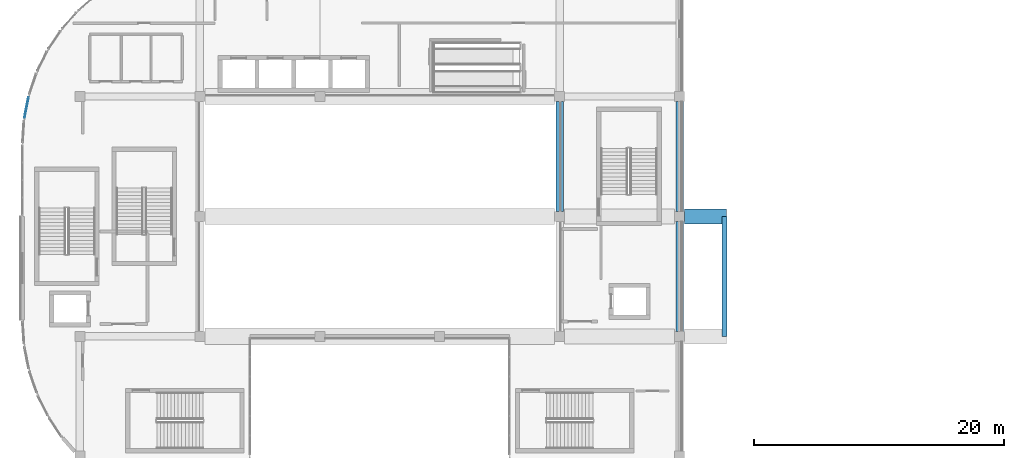
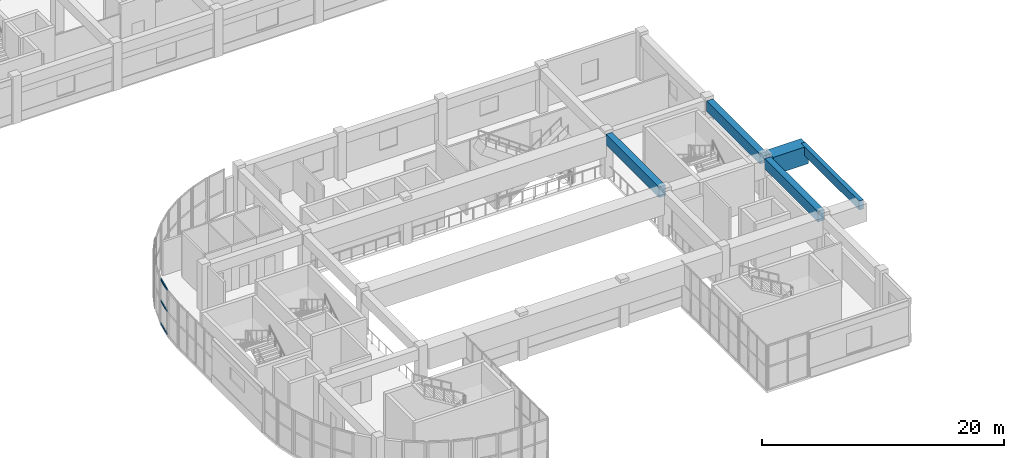
# One storey, part 8 of 33: 5 beams, 3 members, 1 element without a shape of its own.
"""IFC4 building model written with IfcOpenShell, lengths in metres."""

from ifc_helpers import new_model, si_unit, direction, frame, origin, origin_2d, place, context, subcontext, project, spatial, rectangle, extrude, material, layer, layer_set, material_profile, profile_set, type_object, element, aggregate, save


model = new_model("IFC4")

# Units and contexts
model_context = context("Model", 3, precision=1e-05, world=origin(), true_north=direction((0.0, 1.0)))
body_context = subcontext(model_context, "Body", "Model", "MODEL_VIEW")
ifc_project = project(units=[si_unit("LENGTHUNIT", "METRE"), si_unit("AREAUNIT", "SQUARE_METRE"), si_unit("VOLUMEUNIT", "CUBIC_METRE"), si_unit("PLANEANGLEUNIT", "RADIAN"), si_unit("MASSUNIT", "GRAM", prefix="KILO")], contexts=[model_context])

# Site, building, storey
site_placement = place(None, origin())
site = spatial("IfcSite", under=ifc_project, at=site_placement, CompositionType="ELEMENT")
building_placement = place(site_placement, origin())
building = spatial("IfcBuilding", under=site, at=building_placement, Name="Cendralis Terraced Arcade", CompositionType="ELEMENT")
storey_placement = place(building_placement, frame((0.0, 0.0, 19.800048828125)))
storey = spatial("IfcBuildingStorey", under=building, at=storey_placement, Name="L04", CompositionType="ELEMENT", Elevation=19.800048828125)

# Beams
ifc_material_1 = material(Name="Concrete f'c 35 MPa", Category="concrete")
ifc_material_profile_1 = material_profile(ifc_material_1, rectangle(XDim=0.60009765625, YDim=1.050048828125, at=origin_2d()), Name="RC-BM-600x1050", Category="LoadBearing")
ifc_profile_set_1 = profile_set([ifc_material_profile_1], Name="Concrete f'c 35 MPa")
beam_type_1 = type_object("IfcBeamType", Name="BM-600x1050", PredefinedType="JOIST", material=ifc_profile_set_1)
beam_1_placement = place(storey_placement, frame((48.0, 29.199951171875, 3.954833984375), z_axis=(0.0, 1.0, 0.0), x_axis=(-1.0, 0.0, 0.0)))
element("IfcBeam", 1, at=beam_1_placement, inside=storey, type_object=beam_type_1, Name="Reinforced Concrete Frame Beam BM-Y-L05-6-D_E", PredefinedType="JOIST", context=body_context, shape_type="SweptSolid", body=[
    extrude(rectangle(XDim=0.60009765625, YDim=1.050048828125, at=origin_2d()), origin(), (0.0, 0.0, 1.0), 8.800048828125),
])
beam_2_placement = place(storey_placement, frame((57.60009765625, 19.60009765625, 3.954833984375), z_axis=(0.0, 1.0, 0.0), x_axis=(-1.0, 0.0, 0.0)))
element("IfcBeam", 2, at=beam_2_placement, inside=storey, type_object=beam_type_1, Name="Reinforced Concrete Frame Beam BM-Y-L05-7-C_D", PredefinedType="JOIST", context=body_context, shape_type="SweptSolid", body=[
    extrude(rectangle(XDim=0.60009765625, YDim=1.050048828125, at=origin_2d()), origin(), (0.0, 0.0, 1.0), 8.7998046875),
])
beam_3_placement = place(storey_placement, frame((57.60009765625, 29.199951171875, 3.954833984375), z_axis=(0.0, 1.0, 0.0), x_axis=(-1.0, 0.0, 0.0)))
element("IfcBeam", 3, at=beam_3_placement, inside=storey, type_object=beam_type_1, Name="Reinforced Concrete Frame Beam BM-Y-L05-7-D_E", PredefinedType="JOIST", context=body_context, shape_type="SweptSolid", body=[
    extrude(rectangle(XDim=0.60009765625, YDim=1.050048828125, at=origin_2d()), origin(), (0.0, 0.0, 1.0), 8.800048828125),
])
ifc_material_2 = material(Name="Concrete f'c 42 MPa", Category="concrete")
ifc_material_profile_2 = material_profile(ifc_material_2, rectangle(XDim=1.199951171875, YDim=1.800048828125, at=origin_2d()), Name="RC-TG-1200x1800", Category="LoadBearing")
ifc_profile_set_2 = profile_set([ifc_material_profile_2], Name="Concrete f'c 42 MPa")
beam_type_2 = type_object("IfcBeamType", Name="BM-TG-1200x1800", PredefinedType="USERDEFINED", material=ifc_profile_set_2)
beam_4_placement = place(storey_placement, frame((58.0, 28.800048828125, 3.579833984375), z_axis=(1.0, 0.0, 0.0), x_axis=(0.0, 1.0, 0.0)))
element("IfcBeam", 4, at=beam_4_placement, inside=storey, type_object=beam_type_2, Name="Reinforced Concrete Transfer Girder TG-L05-D-CANT", ObjectType="TRANSFER GIRDER", PredefinedType="USERDEFINED", context=body_context, shape_type="SweptSolid", body=[
    extrude(rectangle(XDim=1.199951171875, YDim=1.800048828125, at=origin_2d()), origin(), (0.0, 0.0, 1.0), 3.3798828125),
])

# Curtain wall, members
ifc_material_3 = material(Name="Anodised aluminium EN AW-6063 T6", Category="aluminium")
ifc_layer = layer(ifc_material_3, 0.179931640625, Name="CW-UNIT-A")
ifc_layer_set = layer_set([ifc_layer], Name="Anodised aluminium EN AW-6063 T6")
curtain_wall_type = type_object("IfcCurtainWallType", Name="CW-UNIT-A", PredefinedType="USERDEFINED", material=ifc_layer_set)
curtain_wall_placement = place(storey_placement, origin())
curtain_wall = element("IfcCurtainWall", 5, at=curtain_wall_placement, inside=storey, type_object=curtain_wall_type, Name="Exterior Unitised Facade CW-L04-0338", ObjectType="UNITISED FACADE", PredefinedType="USERDEFINED")
ifc_material_profile_3 = material_profile(ifc_material_3, rectangle(XDim=0.06494140625, YDim=0.14990234375, at=origin_2d()), Name="ALU-TRN-65x150")
ifc_profile_set_3 = profile_set([ifc_material_profile_3], Name="Anodised aluminium EN AW-6063 T6")
member_type = type_object("IfcMemberType", Name="CW-UNIT-A-TRN", PredefinedType="USERDEFINED", material=ifc_profile_set_3)
member_1_placement = place(storey_placement, frame((5.15869140625, 36.7099609375, 0.032470703125), z_axis=(0.194922378732, 0.980818671452, 0.0), x_axis=(-0.980818671452, 0.194922378732, 0.0)))
member_1 = element("IfcMember", 6, at=member_1_placement, type_object=member_type, Name="CW-U1 transom 1.1", ObjectType="TRANSOM", PredefinedType="USERDEFINED", context=body_context, shape_type="SweptSolid", body=[
    extrude(rectangle(XDim=0.06494140625, YDim=0.14990234375, at=origin_2d()), origin(), (0.0, 0.0, 1.0), 1.652099609375),
])
member_2_placement = place(storey_placement, frame((5.15869140625, 36.7099609375, 2.32958984375), z_axis=(0.194922378732, 0.980818671452, 0.0), x_axis=(-0.980818671452, 0.194922378732, 0.0)))
member_2 = element("IfcMember", 7, at=member_2_placement, type_object=member_type, Name="CW-U1 transom 1.2", ObjectType="TRANSOM", PredefinedType="USERDEFINED", context=body_context, shape_type="SweptSolid", body=[
    extrude(rectangle(XDim=0.06494140625, YDim=0.14990234375, at=origin_2d()), origin(), (0.0, 0.0, 1.0), 1.652099609375),
])
member_3_placement = place(storey_placement, frame((5.15869140625, 36.7099609375, 4.447509765625), z_axis=(0.194922378732, 0.980818671452, 0.0), x_axis=(-0.980818671452, 0.194922378732, 0.0)))
member_3 = element("IfcMember", 8, at=member_3_placement, type_object=member_type, Name="CW-U1 transom 1.3", ObjectType="TRANSOM", PredefinedType="USERDEFINED", context=body_context, shape_type="SweptSolid", body=[
    extrude(rectangle(XDim=0.06494140625, YDim=0.14990234375, at=origin_2d()), origin(), (0.0, 0.0, 1.0), 1.652099609375),
])
aggregate(curtain_wall, [member_1, member_2, member_3])

# Beam
ifc_material_profile_4 = material_profile(ifc_material_1, rectangle(XDim=0.39990234375, YDim=0.89990234375, at=origin_2d()), Name="RC-SP-400x900", Category="LoadBearing")
ifc_profile_set_4 = profile_set([ifc_material_profile_4], Name="Concrete f'c 35 MPa")
beam_type_3 = type_object("IfcBeamType", Name="SP-400x900", PredefinedType="SPANDREL", material=ifc_profile_set_4)
beam_5_placement = place(storey_placement, frame((61.199951171875, 19.199951171875, 4.030029296875), z_axis=(0.0, 1.0, 0.0), x_axis=(-1.0, 0.0, 0.0)))
element("IfcBeam", 9, at=beam_5_placement, inside=storey, type_object=beam_type_3, Name="Crown Overhang Edge Spandrel L05", PredefinedType="SPANDREL", context=body_context, shape_type="SweptSolid", body=[
    extrude(rectangle(XDim=0.39990234375, YDim=0.89990234375, at=origin_2d()), origin(), (0.0, 0.0, 1.0), 9.60009765625),
])

save(model, "model.ifc")
